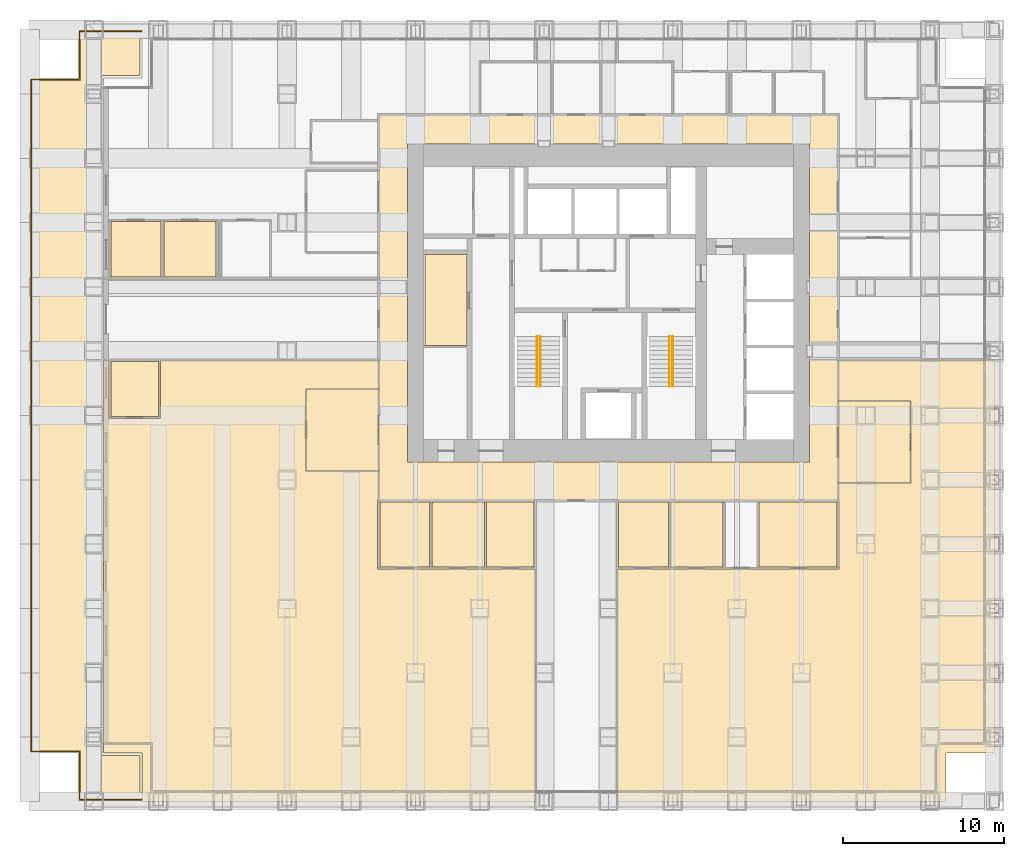
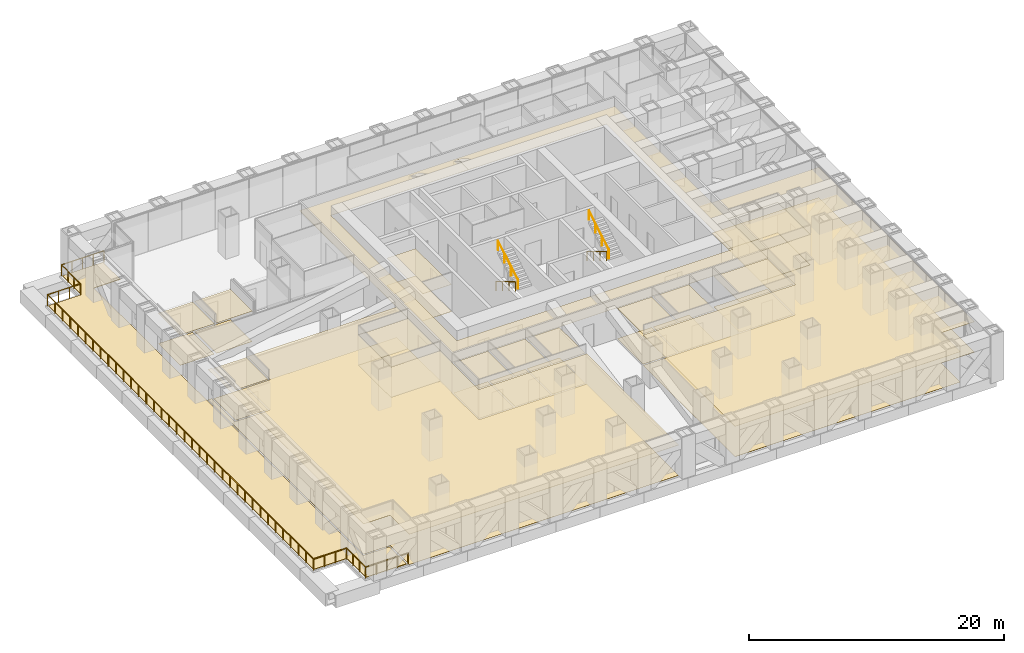
# One storey, part 17 of 18: 31 coverings, 5 railings.
"""IFC4 building model written with IfcOpenShell, lengths in metres."""

from ifc_helpers import new_model, si_unit, direction, frame, origin, origin_2d, place, context, subcontext, project, spatial, polyline, circle, outline, extrude, material, layer, layer_set, type_object, element, save


model = new_model("IFC4")

# Units and contexts
model_context = context("Model", 3, precision=1e-05, world=origin(), true_north=direction((0.0, 1.0)))
body_context = subcontext(model_context, "Body", "Model", "MODEL_VIEW")
ifc_project = project(units=[si_unit("LENGTHUNIT", "METRE"), si_unit("AREAUNIT", "SQUARE_METRE"), si_unit("VOLUMEUNIT", "CUBIC_METRE"), si_unit("PLANEANGLEUNIT", "RADIAN"), si_unit("MASSUNIT", "GRAM", prefix="KILO")], contexts=[model_context])

# Site, building, storey
site_placement = place(None, origin())
site = spatial("IfcSite", under=ifc_project, at=site_placement, CompositionType="ELEMENT")
building_placement = place(site_placement, origin())
building = spatial("IfcBuilding", under=site, at=building_placement, Name="Rimbunsela Tower", CompositionType="ELEMENT")
storey_placement = place(building_placement, frame((0.0, 0.0, 11.0)))
storey = spatial("IfcBuildingStorey", under=building, at=storey_placement, Name="L02", CompositionType="ELEMENT", Elevation=11.0)

# Coverings
ifc_material_1 = material(Name="Nylon carpet tile", Category="textile")
ifc_layer_1 = layer(ifc_material_1, 0.010009765625)
ifc_layer_set_1 = layer_set([ifc_layer_1], Name="Carpet tile 10")
covering_type_1 = type_object("IfcCoveringType", Name="Carpet tile 10", PredefinedType="FLOORING", material=ifc_layer_set_1)
covering_1_placement = place(storey_placement, origin())
element("IfcCovering", 1, at=covering_1_placement, inside=storey, type_object=covering_type_1, Name="Floor finish Open office", PredefinedType="FLOORING", context=body_context, shape_type="SweptSolid", body=[
    extrude(outline(polyline([(19.0, 10.449951171875), (22.300048828125, 10.449951171875), (22.39990234375, 10.449951171875), (25.448974609375, 10.449951171875), (25.448974609375, -4.0), (15.699951171875, -4.0), (1.0, -4.0), (1.0, -1.0), (-1.39990234375, -1.0), (-1.39990234375, 23.448974609375), (-1.070068359375, 23.448974609375), (-1.070068359375, 19.800048828125), (2.1298828125, 19.800048828125), (2.1298828125, 23.448974609375), (15.699951171875, 23.448974609375), (15.699951171875, 21.64892578125), (11.199951171875, 21.64892578125), (11.199951171875, 16.549072265625), (15.699951171875, 16.549072265625), (15.699951171875, 14.75), (15.64990234375, 14.75), (15.64990234375, 10.449951171875), (15.699951171875, 10.449951171875), (18.89990234375, 10.449951171875), (19.0, 10.449951171875)])), origin(), (0.0, 0.0, 1.0), 0.010009765625),
])
covering_2_placement = place(storey_placement, origin())
element("IfcCovering", 2, at=covering_2_placement, inside=storey, type_object=covering_type_1, Name="Floor finish Open office", PredefinedType="FLOORING", context=body_context, shape_type="SweptSolid", body=[
    extrude(outline(polyline([(37.15087890625, 10.449951171875), (37.2509765625, 10.449951171875), (39.2509765625, 10.449951171875), (39.35107421875, 10.449951171875), (44.300048828125, 10.449951171875), (44.35009765625, 10.449951171875), (44.35009765625, 14.75), (44.300048828125, 14.75), (44.300048828125, 15.799072265625), (48.800048828125, 15.799072265625), (48.800048828125, 20.89892578125), (44.300048828125, 20.89892578125), (44.300048828125, 23.448974609375), (54.0, 23.448974609375), (54.0, -1.0), (51.0, -1.0), (51.0, -4.0), (44.300048828125, -4.0), (30.551025390625, -4.0), (30.551025390625, 10.449951171875), (33.7509765625, 10.449951171875), (33.85107421875, 10.449951171875), (37.15087890625, 10.449951171875)])), origin(), (0.0, 0.0, 1.0), 0.010009765625),
])
covering_3_placement = place(storey_placement, origin())
element("IfcCovering", 3, at=covering_3_placement, inside=storey, type_object=covering_type_1, Name="Floor finish Reception", PredefinedType="FLOORING", context=body_context, shape_type="SweptSolid", body=[
    extrude(outline(polyline([(15.699951171875, 16.549072265625), (15.699951171875, 21.64892578125), (11.199951171875, 21.64892578125), (11.199951171875, 16.549072265625), (15.699951171875, 16.549072265625)])), origin(), (0.0, 0.0, 1.0), 0.010009765625),
])
covering_4_placement = place(storey_placement, origin())
element("IfcCovering", 4, at=covering_4_placement, inside=storey, type_object=covering_type_1, Name="Floor finish Reception", PredefinedType="FLOORING", context=body_context, shape_type="SweptSolid", body=[
    extrude(outline(polyline([(48.800048828125, 15.799072265625), (48.800048828125, 20.89892578125), (44.300048828125, 20.89892578125), (44.300048828125, 15.799072265625), (48.800048828125, 15.799072265625)])), origin(), (0.0, 0.0, 1.0), 0.010009765625),
])
covering_5_placement = place(storey_placement, origin())
element("IfcCovering", 5, at=covering_5_placement, inside=storey, type_object=covering_type_1, Name="Floor finish Interview room", PredefinedType="FLOORING", context=body_context, shape_type="SweptSolid", body=[
    extrude(outline(polyline([(18.875, 10.574951171875), (18.875, 14.625), (15.77490234375, 14.625), (15.77490234375, 10.574951171875), (18.875, 10.574951171875)])), origin(), (0.0, 0.0, 1.0), 0.010009765625),
])
covering_6_placement = place(storey_placement, origin())
element("IfcCovering", 6, at=covering_6_placement, inside=storey, type_object=covering_type_1, Name="Floor finish Pantry", PredefinedType="FLOORING", context=body_context, shape_type="SweptSolid", body=[
    extrude(outline(polyline([(22.27490234375, 10.574951171875), (22.27490234375, 14.625), (19.02490234375, 14.625), (19.02490234375, 10.574951171875), (22.27490234375, 10.574951171875)])), origin(), (0.0, 0.0, 1.0), 0.010009765625),
])
covering_7_placement = place(storey_placement, origin())
element("IfcCovering", 7, at=covering_7_placement, inside=storey, type_object=covering_type_1, Name="Floor finish Print and copy room", PredefinedType="FLOORING", context=body_context, shape_type="SweptSolid", body=[
    extrude(outline(polyline([(25.3740234375, 10.574951171875), (25.3740234375, 14.625), (22.425048828125, 14.625), (22.425048828125, 10.574951171875), (25.3740234375, 10.574951171875)])), origin(), (0.0, 0.0, 1.0), 0.010009765625),
])
covering_8_placement = place(storey_placement, origin())
element("IfcCovering", 8, at=covering_8_placement, inside=storey, type_object=covering_type_1, Name="Floor finish Interview room", PredefinedType="FLOORING", context=body_context, shape_type="SweptSolid", body=[
    extrude(outline(polyline([(33.72607421875, 10.574951171875), (33.72607421875, 14.625), (30.6259765625, 14.625), (30.6259765625, 10.574951171875), (33.72607421875, 10.574951171875)])), origin(), (0.0, 0.0, 1.0), 0.010009765625),
])
covering_9_placement = place(storey_placement, origin())
element("IfcCovering", 9, at=covering_9_placement, inside=storey, type_object=covering_type_1, Name="Floor finish Pantry", PredefinedType="FLOORING", context=body_context, shape_type="SweptSolid", body=[
    extrude(outline(polyline([(37.1259765625, 10.574951171875), (37.1259765625, 14.625), (33.8759765625, 14.625), (33.8759765625, 10.574951171875), (37.1259765625, 10.574951171875)])), origin(), (0.0, 0.0, 1.0), 0.010009765625),
])
covering_10_placement = place(storey_placement, origin())
element("IfcCovering", 10, at=covering_10_placement, inside=storey, type_object=covering_type_1, Name="Floor finish Office", PredefinedType="FLOORING", context=body_context, shape_type="SweptSolid", body=[
    extrude(outline(polyline([(44.22509765625, 10.574951171875), (44.22509765625, 14.625), (39.3759765625, 14.625), (39.3759765625, 10.574951171875), (44.22509765625, 10.574951171875)])), origin(), (0.0, 0.0, 1.0), 0.010009765625),
])
covering_11_placement = place(storey_placement, origin())
element("IfcCovering", 11, at=covering_11_placement, inside=storey, type_object=covering_type_1, Name="Floor finish Office", PredefinedType="FLOORING", context=body_context, shape_type="SweptSolid", body=[
    extrude(outline(polyline([(2.0048828125, 19.925048828125), (2.0048828125, 23.375), (-0.945068359375, 23.375), (-0.945068359375, 19.925048828125), (2.0048828125, 19.925048828125)])), origin(), (0.0, 0.0, 1.0), 0.010009765625),
])
covering_12_placement = place(storey_placement, origin())
element("IfcCovering", 12, at=covering_12_placement, inside=storey, type_object=covering_type_1, Name="Floor finish Interview room", PredefinedType="FLOORING", context=body_context, shape_type="SweptSolid", body=[
    extrude(outline(polyline([(2.155029296875, 28.625), (2.155029296875, 32.074951171875), (-0.945068359375, 32.074951171875), (-0.945068359375, 28.625), (2.155029296875, 28.625)])), origin(), (0.0, 0.0, 1.0), 0.010009765625),
])
covering_13_placement = place(storey_placement, origin())
element("IfcCovering", 13, at=covering_13_placement, inside=storey, type_object=covering_type_1, Name="Floor finish Pantry", PredefinedType="FLOORING", context=body_context, shape_type="SweptSolid", body=[
    extrude(outline(polyline([(5.60498046875, 28.625), (5.60498046875, 32.074951171875), (2.35498046875, 32.074951171875), (2.35498046875, 28.625), (5.60498046875, 28.625)])), origin(), (0.0, 0.0, 1.0), 0.010009765625),
])
ifc_material_2 = material(Name="Mineral fibre ceiling tile", Category="gypsum")
ifc_layer_2 = layer(ifc_material_2, 0.02001953125)
ifc_layer_set_2 = layer_set([ifc_layer_2], Name="Ceiling 600 grid")
covering_type_2 = type_object("IfcCoveringType", Name="Ceiling 600 grid", PredefinedType="CEILING", material=ifc_layer_set_2)
covering_14_placement = place(storey_placement, frame((0.0, 0.0, 2.89990234375)))
element("IfcCovering", 14, at=covering_14_placement, inside=storey, type_object=covering_type_2, Name="Ceiling Ring corridor", PredefinedType="CEILING", context=body_context, shape_type="SweptSolid", body=[
    extrude(outline(polyline([(15.699951171875, 38.699951171875), (30.0, 38.699951171875), (30.0, 36.89990234375), (17.5, 36.89990234375), (17.5, 17.10009765625), (30.0, 17.10009765625), (30.0, 14.699951171875), (15.699951171875, 14.699951171875), (15.699951171875, 38.699951171875)])), origin(), (0.0, 0.0, 1.0), 0.02001953125),
])
covering_15_placement = place(storey_placement, frame((0.0, 0.0, 2.89990234375)))
element("IfcCovering", 15, at=covering_15_placement, inside=storey, type_object=covering_type_2, Name="Ceiling Ring corridor", PredefinedType="CEILING", context=body_context, shape_type="SweptSolid", body=[
    extrude(outline(polyline([(44.300048828125, 38.699951171875), (44.300048828125, 14.699951171875), (30.0, 14.699951171875), (30.0, 17.10009765625), (42.5, 17.10009765625), (42.5, 36.89990234375), (30.0, 36.89990234375), (30.0, 38.699951171875), (44.300048828125, 38.699951171875)])), origin(), (0.0, 0.0, 1.0), 0.02001953125),
])
covering_16_placement = place(storey_placement, frame((0.0, 0.0, 2.89990234375)))
element("IfcCovering", 16, at=covering_16_placement, inside=storey, type_object=covering_type_2, Name="Ceiling Open office", PredefinedType="CEILING", context=body_context, shape_type="SweptSolid", body=[
    extrude(outline(polyline([(19.0, 10.449951171875), (22.300048828125, 10.449951171875), (22.39990234375, 10.449951171875), (25.448974609375, 10.449951171875), (25.448974609375, -4.0), (15.699951171875, -4.0), (1.0, -4.0), (1.0, -1.0), (-1.39990234375, -1.0), (-1.39990234375, 23.448974609375), (-1.070068359375, 23.448974609375), (-1.070068359375, 19.800048828125), (2.1298828125, 19.800048828125), (2.1298828125, 23.448974609375), (15.699951171875, 23.448974609375), (15.699951171875, 21.64892578125), (11.199951171875, 21.64892578125), (11.199951171875, 16.549072265625), (15.699951171875, 16.549072265625), (15.699951171875, 14.75), (15.64990234375, 14.75), (15.64990234375, 10.449951171875), (15.699951171875, 10.449951171875), (18.89990234375, 10.449951171875), (19.0, 10.449951171875)])), origin(), (0.0, 0.0, 1.0), 0.02001953125),
])
covering_17_placement = place(storey_placement, frame((0.0, 0.0, 2.89990234375)))
element("IfcCovering", 17, at=covering_17_placement, inside=storey, type_object=covering_type_2, Name="Ceiling Open office", PredefinedType="CEILING", context=body_context, shape_type="SweptSolid", body=[
    extrude(outline(polyline([(37.15087890625, 10.449951171875), (37.2509765625, 10.449951171875), (39.2509765625, 10.449951171875), (39.35107421875, 10.449951171875), (44.300048828125, 10.449951171875), (44.35009765625, 10.449951171875), (44.35009765625, 14.75), (44.300048828125, 14.75), (44.300048828125, 15.799072265625), (48.800048828125, 15.799072265625), (48.800048828125, 20.89892578125), (44.300048828125, 20.89892578125), (44.300048828125, 23.448974609375), (54.0, 23.448974609375), (54.0, -1.0), (51.0, -1.0), (51.0, -4.0), (44.300048828125, -4.0), (30.551025390625, -4.0), (30.551025390625, 10.449951171875), (33.7509765625, 10.449951171875), (33.85107421875, 10.449951171875), (37.15087890625, 10.449951171875)])), origin(), (0.0, 0.0, 1.0), 0.02001953125),
])
covering_18_placement = place(storey_placement, frame((0.0, 0.0, 2.89990234375)))
element("IfcCovering", 18, at=covering_18_placement, inside=storey, type_object=covering_type_2, Name="Ceiling Reception", PredefinedType="CEILING", context=body_context, shape_type="SweptSolid", body=[
    extrude(outline(polyline([(15.699951171875, 16.549072265625), (15.699951171875, 21.64892578125), (11.199951171875, 21.64892578125), (11.199951171875, 16.549072265625), (15.699951171875, 16.549072265625)])), origin(), (0.0, 0.0, 1.0), 0.02001953125),
])
covering_19_placement = place(storey_placement, frame((0.0, 0.0, 2.89990234375)))
element("IfcCovering", 19, at=covering_19_placement, inside=storey, type_object=covering_type_2, Name="Ceiling Reception", PredefinedType="CEILING", context=body_context, shape_type="SweptSolid", body=[
    extrude(outline(polyline([(48.800048828125, 15.799072265625), (48.800048828125, 20.89892578125), (44.300048828125, 20.89892578125), (44.300048828125, 15.799072265625), (48.800048828125, 15.799072265625)])), origin(), (0.0, 0.0, 1.0), 0.02001953125),
])
covering_20_placement = place(storey_placement, frame((0.0, 0.0, 2.89990234375)))
element("IfcCovering", 20, at=covering_20_placement, inside=storey, type_object=covering_type_2, Name="Ceiling Interview room", PredefinedType="CEILING", context=body_context, shape_type="SweptSolid", body=[
    extrude(outline(polyline([(18.875, 10.574951171875), (18.875, 14.625), (15.77490234375, 14.625), (15.77490234375, 10.574951171875), (18.875, 10.574951171875)])), origin(), (0.0, 0.0, 1.0), 0.02001953125),
])
covering_21_placement = place(storey_placement, frame((0.0, 0.0, 2.89990234375)))
element("IfcCovering", 21, at=covering_21_placement, inside=storey, type_object=covering_type_2, Name="Ceiling Pantry", PredefinedType="CEILING", context=body_context, shape_type="SweptSolid", body=[
    extrude(outline(polyline([(22.27490234375, 10.574951171875), (22.27490234375, 14.625), (19.02490234375, 14.625), (19.02490234375, 10.574951171875), (22.27490234375, 10.574951171875)])), origin(), (0.0, 0.0, 1.0), 0.02001953125),
])
covering_22_placement = place(storey_placement, frame((0.0, 0.0, 2.89990234375)))
element("IfcCovering", 22, at=covering_22_placement, inside=storey, type_object=covering_type_2, Name="Ceiling Print and copy room", PredefinedType="CEILING", context=body_context, shape_type="SweptSolid", body=[
    extrude(outline(polyline([(25.3740234375, 10.574951171875), (25.3740234375, 14.625), (22.425048828125, 14.625), (22.425048828125, 10.574951171875), (25.3740234375, 10.574951171875)])), origin(), (0.0, 0.0, 1.0), 0.02001953125),
])
covering_23_placement = place(storey_placement, frame((0.0, 0.0, 2.89990234375)))
element("IfcCovering", 23, at=covering_23_placement, inside=storey, type_object=covering_type_2, Name="Ceiling Interview room", PredefinedType="CEILING", context=body_context, shape_type="SweptSolid", body=[
    extrude(outline(polyline([(33.72607421875, 10.574951171875), (33.72607421875, 14.625), (30.6259765625, 14.625), (30.6259765625, 10.574951171875), (33.72607421875, 10.574951171875)])), origin(), (0.0, 0.0, 1.0), 0.02001953125),
])
covering_24_placement = place(storey_placement, frame((0.0, 0.0, 2.89990234375)))
element("IfcCovering", 24, at=covering_24_placement, inside=storey, type_object=covering_type_2, Name="Ceiling Pantry", PredefinedType="CEILING", context=body_context, shape_type="SweptSolid", body=[
    extrude(outline(polyline([(37.1259765625, 10.574951171875), (37.1259765625, 14.625), (33.8759765625, 14.625), (33.8759765625, 10.574951171875), (37.1259765625, 10.574951171875)])), origin(), (0.0, 0.0, 1.0), 0.02001953125),
])
covering_25_placement = place(storey_placement, frame((0.0, 0.0, 2.89990234375)))
element("IfcCovering", 25, at=covering_25_placement, inside=storey, type_object=covering_type_2, Name="Ceiling Office", PredefinedType="CEILING", context=body_context, shape_type="SweptSolid", body=[
    extrude(outline(polyline([(44.22509765625, 10.574951171875), (44.22509765625, 14.625), (39.3759765625, 14.625), (39.3759765625, 10.574951171875), (44.22509765625, 10.574951171875)])), origin(), (0.0, 0.0, 1.0), 0.02001953125),
])
covering_26_placement = place(storey_placement, frame((0.0, 0.0, 2.89990234375)))
element("IfcCovering", 26, at=covering_26_placement, inside=storey, type_object=covering_type_2, Name="Ceiling Office", PredefinedType="CEILING", context=body_context, shape_type="SweptSolid", body=[
    extrude(outline(polyline([(2.0048828125, 19.925048828125), (2.0048828125, 23.375), (-0.945068359375, 23.375), (-0.945068359375, 19.925048828125), (2.0048828125, 19.925048828125)])), origin(), (0.0, 0.0, 1.0), 0.02001953125),
])
covering_27_placement = place(storey_placement, frame((0.0, 0.0, 2.89990234375)))
element("IfcCovering", 27, at=covering_27_placement, inside=storey, type_object=covering_type_2, Name="Ceiling Interview room", PredefinedType="CEILING", context=body_context, shape_type="SweptSolid", body=[
    extrude(outline(polyline([(2.155029296875, 28.625), (2.155029296875, 32.074951171875), (-0.945068359375, 32.074951171875), (-0.945068359375, 28.625), (2.155029296875, 28.625)])), origin(), (0.0, 0.0, 1.0), 0.02001953125),
])
covering_28_placement = place(storey_placement, frame((0.0, 0.0, 2.89990234375)))
element("IfcCovering", 28, at=covering_28_placement, inside=storey, type_object=covering_type_2, Name="Ceiling Pantry", PredefinedType="CEILING", context=body_context, shape_type="SweptSolid", body=[
    extrude(outline(polyline([(5.60498046875, 28.625), (5.60498046875, 32.074951171875), (2.35498046875, 32.074951171875), (2.35498046875, 28.625), (5.60498046875, 28.625)])), origin(), (0.0, 0.0, 1.0), 0.02001953125),
])
ifc_material_3 = material(Name="Moisture-resistant plasterboard ceiling", Category="gypsum")
ifc_layer_3 = layer(ifc_material_3, 0.012451171875)
ifc_layer_set_3 = layer_set([ifc_layer_3], Name="Ceiling moisture-resistant board")
covering_type_3 = type_object("IfcCoveringType", Name="Ceiling moisture-resistant board", PredefinedType="CEILING", material=ifc_layer_set_3)
covering_29_placement = place(storey_placement, frame((0.0, 0.0, 2.60009765625)))
element("IfcCovering", 29, at=covering_29_placement, inside=storey, type_object=covering_type_3, Name="Ceiling Staff WC", PredefinedType="CEILING", context=body_context, shape_type="SweptSolid", body=[
    extrude(outline(polyline([(21.199951171875, 24.35009765625), (21.199951171875, 30.0), (18.60009765625, 30.0), (18.60009765625, 24.35009765625), (21.199951171875, 24.35009765625)])), origin(), (0.0, 0.0, 1.0), 0.02001953125),
])
ifc_material_4 = material(Name="Porcelain floor tile in adhesive bed", Category="ceramic")
ifc_layer_4 = layer(ifc_material_4, 0.02001953125)
ifc_layer_set_4 = layer_set([ifc_layer_4], Name="Porcelain tile 20")
covering_type_4 = type_object("IfcCoveringType", Name="Porcelain tile 20", PredefinedType="FLOORING", material=ifc_layer_set_4)
covering_30_placement = place(storey_placement, origin())
element("IfcCovering", 30, at=covering_30_placement, inside=storey, type_object=covering_type_4, Name="Floor finish Staff WC", PredefinedType="FLOORING", context=body_context, shape_type="SweptSolid", body=[
    extrude(outline(polyline([(21.199951171875, 24.35009765625), (21.199951171875, 30.0), (18.60009765625, 30.0), (18.60009765625, 24.35009765625), (21.199951171875, 24.35009765625)])), origin(), (0.0, 0.0, 1.0), 0.02001953125),
])

# Railings
ifc_material_5 = material(Name="Stainless steel tube", Category="steel")
railing_type_1 = type_object("IfcRailingType", Name="Stair handrail 900", PredefinedType="HANDRAIL", material=ifc_material_5)
railing_1_placement = place(storey_placement, frame((25.550048828125, 24.89990234375, 0.166748046875)))
element("IfcRailing", 31, at=railing_1_placement, inside=storey, type_object=railing_type_1, Name="Handrail ST-A flight 1", PredefinedType="HANDRAIL", context=body_context, shape_type="SweptSolid", body=[
    extrude(circle(Radius=0.02392578125, at=origin_2d()), frame((0.0, 0.0, 0.8759765625), z_axis=(0.0, -0.859290745958, 0.51148745235), x_axis=(1.0, 0.0, 0.0)), (0.0, 0.0, 1.0), 3.584228515625),
    extrude(circle(Radius=0.02099609375, at=origin_2d()), origin(), (0.0, 0.0, 1.0), 0.851806640625),
    extrude(circle(Radius=0.02099609375, at=origin_2d()), frame((0.0, -1.026611328125, 0.611083984375)), (0.0, 0.0, 1.0), 0.851806640625),
    extrude(circle(Radius=0.02099609375, at=origin_2d()), frame((0.0, -2.05322265625, 1.22216796875)), (0.0, 0.0, 1.0), 0.851806640625),
    extrude(circle(Radius=0.02099609375, at=origin_2d()), frame((0.0, -3.079833984375, 1.833251953125)), (0.0, 0.0, 1.0), 0.851806640625),
])
railing_2_placement = place(storey_placement, frame((25.75, 21.820068359375, 2.166748046875)))
element("IfcRailing", 32, at=railing_2_placement, inside=storey, type_object=railing_type_1, Name="Handrail ST-A flight 2", PredefinedType="HANDRAIL", context=body_context, shape_type="SweptSolid", body=[
    extrude(circle(Radius=0.02392578125, at=origin_2d()), frame((0.0, 0.0, 0.8759765625), z_axis=(0.0, 0.859290745958, 0.51148745235), x_axis=(-1.0, 0.0, 0.0)), (0.0, 0.0, 1.0), 3.584228515625),
    extrude(circle(Radius=0.02099609375, at=origin_2d()), origin(), (0.0, 0.0, 1.0), 0.851806640625),
    extrude(circle(Radius=0.02099609375, at=origin_2d()), frame((0.0, 1.026611328125, 0.611083984375)), (0.0, 0.0, 1.0), 0.851806640625),
    extrude(circle(Radius=0.02099609375, at=origin_2d()), frame((0.0, 2.05322265625, 1.22216796875)), (0.0, 0.0, 1.0), 0.851806640625),
    extrude(circle(Radius=0.02099609375, at=origin_2d()), frame((0.0, 3.079833984375, 1.833251953125)), (0.0, 0.0, 1.0), 0.851806640625),
])
railing_3_placement = place(storey_placement, frame((33.800048828125, 24.89990234375, 0.166748046875)))
element("IfcRailing", 33, at=railing_3_placement, inside=storey, type_object=railing_type_1, Name="Handrail ST-B flight 1", PredefinedType="HANDRAIL", context=body_context, shape_type="SweptSolid", body=[
    extrude(circle(Radius=0.02392578125, at=origin_2d()), frame((0.0, 0.0, 0.8759765625), z_axis=(0.0, -0.859290745958, 0.51148745235), x_axis=(1.0, 0.0, 0.0)), (0.0, 0.0, 1.0), 3.584228515625),
    extrude(circle(Radius=0.02099609375, at=origin_2d()), origin(), (0.0, 0.0, 1.0), 0.851806640625),
    extrude(circle(Radius=0.02099609375, at=origin_2d()), frame((0.0, -1.026611328125, 0.611083984375)), (0.0, 0.0, 1.0), 0.851806640625),
    extrude(circle(Radius=0.02099609375, at=origin_2d()), frame((0.0, -2.05322265625, 1.22216796875)), (0.0, 0.0, 1.0), 0.851806640625),
    extrude(circle(Radius=0.02099609375, at=origin_2d()), frame((0.0, -3.079833984375, 1.833251953125)), (0.0, 0.0, 1.0), 0.851806640625),
])
railing_4_placement = place(storey_placement, frame((34.0, 21.820068359375, 2.166748046875)))
element("IfcRailing", 34, at=railing_4_placement, inside=storey, type_object=railing_type_1, Name="Handrail ST-B flight 2", PredefinedType="HANDRAIL", context=body_context, shape_type="SweptSolid", body=[
    extrude(circle(Radius=0.02392578125, at=origin_2d()), frame((0.0, 0.0, 0.8759765625), z_axis=(0.0, 0.859290745958, 0.51148745235), x_axis=(-1.0, 0.0, 0.0)), (0.0, 0.0, 1.0), 3.584228515625),
    extrude(circle(Radius=0.02099609375, at=origin_2d()), origin(), (0.0, 0.0, 1.0), 0.851806640625),
    extrude(circle(Radius=0.02099609375, at=origin_2d()), frame((0.0, 1.026611328125, 0.611083984375)), (0.0, 0.0, 1.0), 0.851806640625),
    extrude(circle(Radius=0.02099609375, at=origin_2d()), frame((0.0, 2.05322265625, 1.22216796875)), (0.0, 0.0, 1.0), 0.851806640625),
    extrude(circle(Radius=0.02099609375, at=origin_2d()), frame((0.0, 3.079833984375, 1.833251953125)), (0.0, 0.0, 1.0), 0.851806640625),
])
ifc_material_6 = material(Name="Laminated glass balustrade", Category="glass")
railing_type_2 = type_object("IfcRailingType", Name="Terrace guard 1100", PredefinedType="GUARDRAIL", material=ifc_material_6)
railing_5_placement = place(storey_placement, frame((0.949951171875, -3.89990234375, 0.0)))
element("IfcRailing", 35, at=railing_5_placement, inside=storey, type_object=railing_type_2, Name="Terrace guard L02", PredefinedType="GUARDRAIL", context=body_context, shape_type="SweptSolid", body=[
    extrude(circle(Radius=0.02392578125, at=origin_2d()), frame((0.0, 0.0, 1.076171875), z_axis=(-1.0, 0.0, 0.0), x_axis=(0.0, -1.0, 0.0)), (0.0, 0.0, 1.0), 3.849853515625),
    extrude(circle(Radius=0.02392578125, at=origin_2d()), frame((-3.849853515625, 0.0, 1.076171875), z_axis=(0.0, 1.0, 0.0), x_axis=(-1.0, 0.0, 0.0)), (0.0, 0.0, 1.0), 3.0),
    extrude(circle(Radius=0.02392578125, at=origin_2d()), frame((-3.849853515625, 3.0, 1.076171875), z_axis=(-1.0, 0.0, 0.0), x_axis=(0.0, -1.0, 0.0)), (0.0, 0.0, 1.0), 3.0),
    extrude(circle(Radius=0.02392578125, at=origin_2d()), frame((-6.849853515625, 3.0, 1.076171875), z_axis=(0.0, 1.0, 0.0), x_axis=(-1.0, 0.0, 0.0)), (0.0, 0.0, 1.0), 41.7998046875),
    extrude(circle(Radius=0.02392578125, at=origin_2d()), frame((-6.849853515625, 44.7998046875, 1.076171875), z_axis=(1.0, 0.0, 0.0), x_axis=(0.0, 1.0, 0.0)), (0.0, 0.0, 1.0), 3.0),
    extrude(circle(Radius=0.02392578125, at=origin_2d()), frame((-3.849853515625, 44.7998046875, 1.076171875), z_axis=(0.0, 1.0, 0.0), x_axis=(-1.0, 0.0, 0.0)), (0.0, 0.0, 1.0), 3.0),
    extrude(circle(Radius=0.02392578125, at=origin_2d()), frame((-3.849853515625, 47.7998046875, 1.076171875), z_axis=(1.0, 0.0, 0.0), x_axis=(0.0, 1.0, 0.0)), (0.0, 0.0, 1.0), 3.849853515625),
    extrude(circle(Radius=0.02099609375, at=origin_2d()), origin(), (0.0, 0.0, 1.0), 1.052001953125),
    extrude(circle(Radius=0.02099609375, at=origin_2d()), frame((-0.96240234375, 0.0, 0.0)), (0.0, 0.0, 1.0), 1.052001953125),
    extrude(circle(Radius=0.02099609375, at=origin_2d()), frame((-1.9248046875, 0.0, 0.0)), (0.0, 0.0, 1.0), 1.052001953125),
    extrude(circle(Radius=0.02099609375, at=origin_2d()), frame((-2.887451171875, 0.0, 0.0)), (0.0, 0.0, 1.0), 1.052001953125),
    extrude(circle(Radius=0.02099609375, at=origin_2d()), frame((-3.849853515625, 0.0, 0.0)), (0.0, 0.0, 1.0), 1.052001953125),
    extrude(circle(Radius=0.02099609375, at=origin_2d()), frame((-3.849853515625, 1.0, 0.0)), (0.0, 0.0, 1.0), 1.052001953125),
    extrude(circle(Radius=0.02099609375, at=origin_2d()), frame((-3.849853515625, 2.0, 0.0)), (0.0, 0.0, 1.0), 1.052001953125),
    extrude(circle(Radius=0.02099609375, at=origin_2d()), frame((-3.849853515625, 3.0, 0.0)), (0.0, 0.0, 1.0), 1.052001953125),
    extrude(circle(Radius=0.02099609375, at=origin_2d()), frame((-4.849853515625, 3.0, 0.0)), (0.0, 0.0, 1.0), 1.052001953125),
    extrude(circle(Radius=0.02099609375, at=origin_2d()), frame((-5.849853515625, 3.0, 0.0)), (0.0, 0.0, 1.0), 1.052001953125),
    extrude(circle(Radius=0.02099609375, at=origin_2d()), frame((-6.849853515625, 3.0, 0.0)), (0.0, 0.0, 1.0), 1.052001953125),
    extrude(circle(Radius=0.02099609375, at=origin_2d()), frame((-6.849853515625, 4.1943359375, 0.0)), (0.0, 0.0, 1.0), 1.052001953125),
    extrude(circle(Radius=0.02099609375, at=origin_2d()), frame((-6.849853515625, 5.388671875, 0.0)), (0.0, 0.0, 1.0), 1.052001953125),
    extrude(circle(Radius=0.02099609375, at=origin_2d()), frame((-6.849853515625, 6.582763671875, 0.0)), (0.0, 0.0, 1.0), 1.052001953125),
    extrude(circle(Radius=0.02099609375, at=origin_2d()), frame((-6.849853515625, 7.777099609375, 0.0)), (0.0, 0.0, 1.0), 1.052001953125),
    extrude(circle(Radius=0.02099609375, at=origin_2d()), frame((-6.849853515625, 8.971435546875, 0.0)), (0.0, 0.0, 1.0), 1.052001953125),
    extrude(circle(Radius=0.02099609375, at=origin_2d()), frame((-6.849853515625, 10.165771484375, 0.0)), (0.0, 0.0, 1.0), 1.052001953125),
    extrude(circle(Radius=0.02099609375, at=origin_2d()), frame((-6.849853515625, 11.35986328125, 0.0)), (0.0, 0.0, 1.0), 1.052001953125),
    extrude(circle(Radius=0.02099609375, at=origin_2d()), frame((-6.849853515625, 12.55419921875, 0.0)), (0.0, 0.0, 1.0), 1.052001953125),
    extrude(circle(Radius=0.02099609375, at=origin_2d()), frame((-6.849853515625, 13.74853515625, 0.0)), (0.0, 0.0, 1.0), 1.052001953125),
    extrude(circle(Radius=0.02099609375, at=origin_2d()), frame((-6.849853515625, 14.94287109375, 0.0)), (0.0, 0.0, 1.0), 1.052001953125),
    extrude(circle(Radius=0.02099609375, at=origin_2d()), frame((-6.849853515625, 16.136962890625, 0.0)), (0.0, 0.0, 1.0), 1.052001953125),
    extrude(circle(Radius=0.02099609375, at=origin_2d()), frame((-6.849853515625, 17.331298828125, 0.0)), (0.0, 0.0, 1.0), 1.052001953125),
    extrude(circle(Radius=0.02099609375, at=origin_2d()), frame((-6.849853515625, 18.525634765625, 0.0)), (0.0, 0.0, 1.0), 1.052001953125),
    extrude(circle(Radius=0.02099609375, at=origin_2d()), frame((-6.849853515625, 19.719970703125, 0.0)), (0.0, 0.0, 1.0), 1.052001953125),
    extrude(circle(Radius=0.02099609375, at=origin_2d()), frame((-6.849853515625, 20.914306640625, 0.0)), (0.0, 0.0, 1.0), 1.052001953125),
    extrude(circle(Radius=0.02099609375, at=origin_2d()), frame((-6.849853515625, 22.1083984375, 0.0)), (0.0, 0.0, 1.0), 1.052001953125),
    extrude(circle(Radius=0.02099609375, at=origin_2d()), frame((-6.849853515625, 23.302734375, 0.0)), (0.0, 0.0, 1.0), 1.052001953125),
    extrude(circle(Radius=0.02099609375, at=origin_2d()), frame((-6.849853515625, 24.4970703125, 0.0)), (0.0, 0.0, 1.0), 1.052001953125),
    extrude(circle(Radius=0.02099609375, at=origin_2d()), frame((-6.849853515625, 25.69140625, 0.0)), (0.0, 0.0, 1.0), 1.052001953125),
    extrude(circle(Radius=0.02099609375, at=origin_2d()), frame((-6.849853515625, 26.885498046875, 0.0)), (0.0, 0.0, 1.0), 1.052001953125),
    extrude(circle(Radius=0.02099609375, at=origin_2d()), frame((-6.849853515625, 28.079833984375, 0.0)), (0.0, 0.0, 1.0), 1.052001953125),
    extrude(circle(Radius=0.02099609375, at=origin_2d()), frame((-6.849853515625, 29.274169921875, 0.0)), (0.0, 0.0, 1.0), 1.052001953125),
    extrude(circle(Radius=0.02099609375, at=origin_2d()), frame((-6.849853515625, 30.468505859375, 0.0)), (0.0, 0.0, 1.0), 1.052001953125),
    extrude(circle(Radius=0.02099609375, at=origin_2d()), frame((-6.849853515625, 31.662841796875, 0.0)), (0.0, 0.0, 1.0), 1.052001953125),
    extrude(circle(Radius=0.02099609375, at=origin_2d()), frame((-6.849853515625, 32.85693359375, 0.0)), (0.0, 0.0, 1.0), 1.052001953125),
    extrude(circle(Radius=0.02099609375, at=origin_2d()), frame((-6.849853515625, 34.05126953125, 0.0)), (0.0, 0.0, 1.0), 1.052001953125),
    extrude(circle(Radius=0.02099609375, at=origin_2d()), frame((-6.849853515625, 35.24560546875, 0.0)), (0.0, 0.0, 1.0), 1.052001953125),
    extrude(circle(Radius=0.02099609375, at=origin_2d()), frame((-6.849853515625, 36.43994140625, 0.0)), (0.0, 0.0, 1.0), 1.052001953125),
    extrude(circle(Radius=0.02099609375, at=origin_2d()), frame((-6.849853515625, 37.634033203125, 0.0)), (0.0, 0.0, 1.0), 1.052001953125),
    extrude(circle(Radius=0.02099609375, at=origin_2d()), frame((-6.849853515625, 38.828369140625, 0.0)), (0.0, 0.0, 1.0), 1.052001953125),
    extrude(circle(Radius=0.02099609375, at=origin_2d()), frame((-6.849853515625, 40.022705078125, 0.0)), (0.0, 0.0, 1.0), 1.052001953125),
    extrude(circle(Radius=0.02099609375, at=origin_2d()), frame((-6.849853515625, 41.217041015625, 0.0)), (0.0, 0.0, 1.0), 1.052001953125),
    extrude(circle(Radius=0.02099609375, at=origin_2d()), frame((-6.849853515625, 42.4111328125, 0.0)), (0.0, 0.0, 1.0), 1.052001953125),
    extrude(circle(Radius=0.02099609375, at=origin_2d()), frame((-6.849853515625, 43.60546875, 0.0)), (0.0, 0.0, 1.0), 1.052001953125),
    extrude(circle(Radius=0.02099609375, at=origin_2d()), frame((-6.849853515625, 44.7998046875, 0.0)), (0.0, 0.0, 1.0), 1.052001953125),
    extrude(circle(Radius=0.02099609375, at=origin_2d()), frame((-5.849853515625, 44.7998046875, 0.0)), (0.0, 0.0, 1.0), 1.052001953125),
    extrude(circle(Radius=0.02099609375, at=origin_2d()), frame((-4.849853515625, 44.7998046875, 0.0)), (0.0, 0.0, 1.0), 1.052001953125),
    extrude(circle(Radius=0.02099609375, at=origin_2d()), frame((-3.849853515625, 44.7998046875, 0.0)), (0.0, 0.0, 1.0), 1.052001953125),
    extrude(circle(Radius=0.02099609375, at=origin_2d()), frame((-3.849853515625, 45.7998046875, 0.0)), (0.0, 0.0, 1.0), 1.052001953125),
    extrude(circle(Radius=0.02099609375, at=origin_2d()), frame((-3.849853515625, 46.7998046875, 0.0)), (0.0, 0.0, 1.0), 1.052001953125),
    extrude(circle(Radius=0.02099609375, at=origin_2d()), frame((-3.849853515625, 47.7998046875, 0.0)), (0.0, 0.0, 1.0), 1.052001953125),
    extrude(circle(Radius=0.02099609375, at=origin_2d()), frame((-2.887451171875, 47.7998046875, 0.0)), (0.0, 0.0, 1.0), 1.052001953125),
    extrude(circle(Radius=0.02099609375, at=origin_2d()), frame((-1.9248046875, 47.7998046875, 0.0)), (0.0, 0.0, 1.0), 1.052001953125),
    extrude(circle(Radius=0.02099609375, at=origin_2d()), frame((-0.96240234375, 47.7998046875, 0.0)), (0.0, 0.0, 1.0), 1.052001953125),
    extrude(circle(Radius=0.02099609375, at=origin_2d()), frame((0.0, 47.7998046875, 0.0)), (0.0, 0.0, 1.0), 1.052001953125),
])

# Covering
ifc_material_7 = material(Name="Porcelain paving on pedestals", Category="masonry")
ifc_layer_5 = layer(ifc_material_7, 0.050048828125)
ifc_layer_set_5 = layer_set([ifc_layer_5], Name="Terrace paving 50")
covering_type_5 = type_object("IfcCoveringType", Name="Terrace paving 50", PredefinedType="FLOORING", material=ifc_layer_set_5)
covering_31_placement = place(storey_placement, origin())
element("IfcCovering", 36, at=covering_31_placement, inside=storey, type_object=covering_type_5, Name="Terrace paving L02", PredefinedType="FLOORING", context=body_context, shape_type="SweptSolid", body=[
    extrude(outline(polyline([(-2.85009765625, -3.85009765625), (-2.85009765625, -0.85009765625), (-5.85009765625, -0.85009765625), (-5.85009765625, 40.85009765625), (-2.85009765625, 40.85009765625), (-2.85009765625, 43.85009765625), (0.85009765625, 43.85009765625), (0.85009765625, 41.14990234375), (-1.550048828125, 41.14990234375), (-1.550048828125, -1.14990234375), (0.85009765625, -1.14990234375), (0.85009765625, -3.85009765625), (-2.85009765625, -3.85009765625)])), origin(), (0.0, 0.0, 1.0), 0.050048828125),
])

save(model, "model.ifc")
